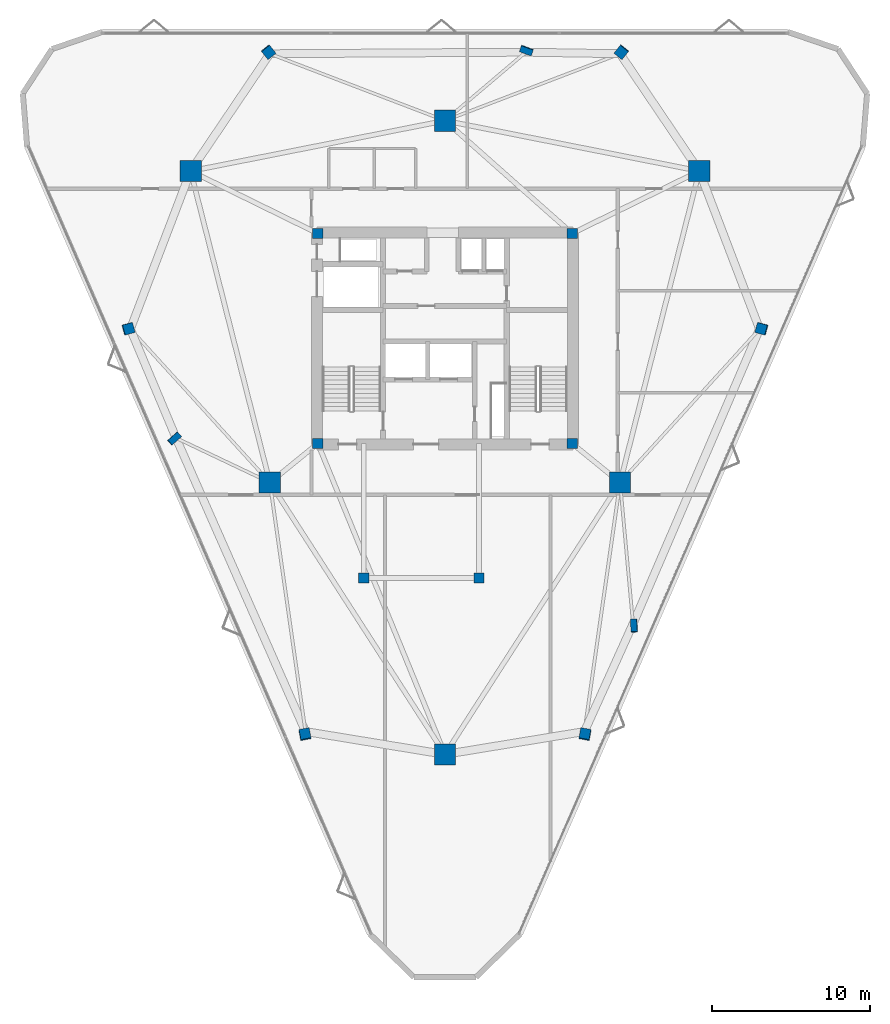
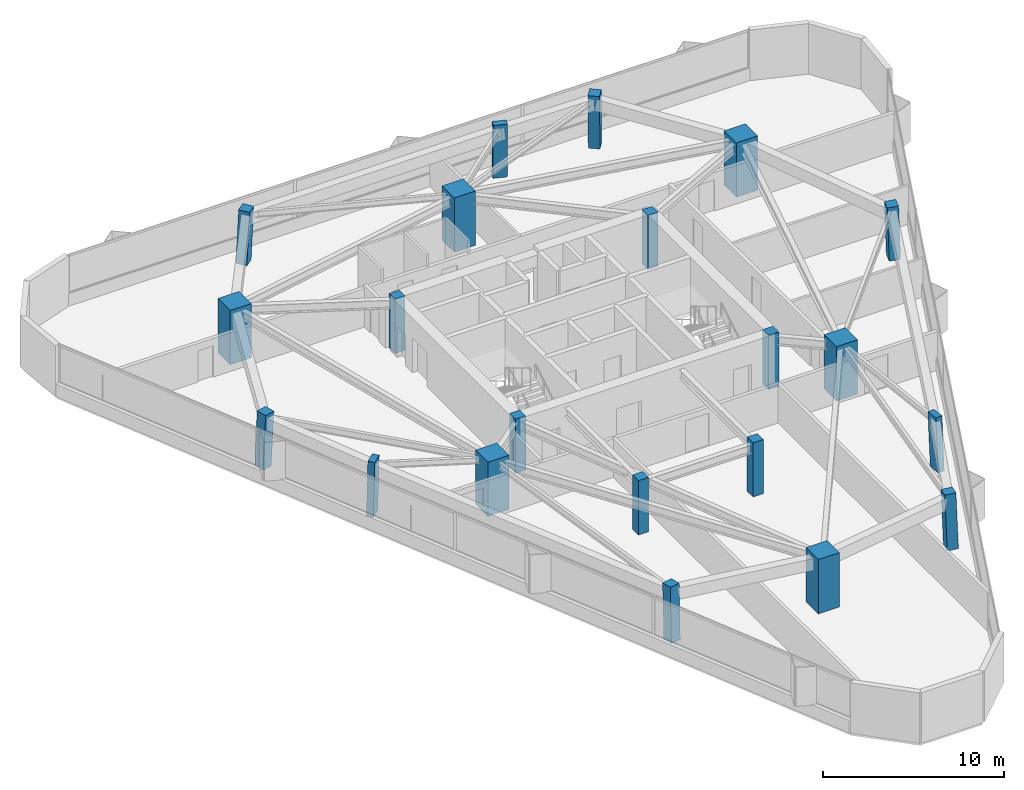
# One storey, part 1 of 12: 21 columns.
"""IFC4 building model written with IfcOpenShell, lengths in metres."""

from ifc_helpers import new_model, si_unit, direction, frame, origin, origin_2d, place, context, subcontext, project, spatial, rectangle, extrude, material, material_profile, profile_set, type_object, element, save


model = new_model("IFC4")

# Units and contexts
model_context = context("Model", 3, precision=1e-05, world=origin(), true_north=direction((0.0, 1.0)))
body_context = subcontext(model_context, "Body", "Model", "MODEL_VIEW")
ifc_project = project(units=[si_unit("LENGTHUNIT", "METRE"), si_unit("AREAUNIT", "SQUARE_METRE"), si_unit("VOLUMEUNIT", "CUBIC_METRE"), si_unit("PLANEANGLEUNIT", "RADIAN"), si_unit("MASSUNIT", "GRAM", prefix="KILO")], contexts=[model_context])

# Site, building, storey
site_placement = place(None, origin())
site = spatial("IfcSite", under=ifc_project, at=site_placement, CompositionType="ELEMENT")
building_placement = place(site_placement, origin())
building = spatial("IfcBuilding", under=site, at=building_placement, Name="Talyreon Biosciences Tower", CompositionType="ELEMENT")
storey_placement = place(building_placement, frame((0.0, 0.0, 186.699951171875)))
storey = spatial("IfcBuildingStorey", under=building, at=storey_placement, Name="L49", CompositionType="ELEMENT", Elevation=186.699951171875)

# Columns
ifc_material_1 = material(Name="Precast concrete C45/55", Category="concrete")
ifc_material_profile_1 = material_profile(ifc_material_1, rectangle(XDim=0.800048828125, YDim=0.39990234375, at=origin_2d()), Name="RC 800x400")
ifc_profile_set_1 = profile_set([ifc_material_profile_1], Name="Precast concrete C45/55")
column_type_1 = type_object("IfcColumnType", Name="FacadePilaster_800x400", PredefinedType="PILASTER", material=ifc_profile_set_1)
column_1_placement = place(storey_placement, frame((77.978271484375, 49.797119140625, 0.0029296875), z_axis=(-0.019612004119, 0.038286915892, 0.999074312234), x_axis=(0.062512217196, -0.997264428181, 0.039444682605)))
element("IfcColumn", 1, at=column_1_placement, inside=storey, type_object=column_type_1, Name="L49 Facade Pilaster PL-SE", PredefinedType="PILASTER", context=body_context, shape_type="SweptSolid", body=[
    extrude(rectangle(XDim=0.800048828125, YDim=0.39990234375, at=origin_2d()), origin(), (0.0, 0.0, 1.0), 3.6474609375),
])
column_2_placement = place(storey_placement, frame((71.161865234375, 86.24658203125, 0.0029296875), z_axis=(-0.012386580681, -0.033477245085, 0.999362720278), x_axis=(-0.937861842681, 0.347008881792, 0.0)))
element("IfcColumn", 2, at=column_2_placement, inside=storey, type_object=column_type_1, Name="L49 Facade Pilaster PL-N", PredefinedType="PILASTER", context=body_context, shape_type="SweptSolid", body=[
    extrude(rectangle(XDim=0.800048828125, YDim=0.39990234375, at=origin_2d()), origin(), (0.0, 0.0, 1.0), 3.646484375),
])
column_3_placement = place(storey_placement, frame((48.85986328125, 61.6591796875, 0.0029296875), z_axis=(0.032006476949, 0.010512587617, 0.999432374368), x_axis=(0.74614527829, 0.665066158827, -0.030890582203)))
element("IfcColumn", 3, at=column_3_placement, inside=storey, type_object=column_type_1, Name="L49 Facade Pilaster PL-SW", PredefinedType="PILASTER", context=body_context, shape_type="SweptSolid", body=[
    extrude(rectangle(XDim=0.800048828125, YDim=0.39990234375, at=origin_2d()), origin(), (0.0, 0.0, 1.0), 3.64599609375),
])
ifc_material_2 = material(Name="Concrete C50/60", Category="concrete")
ifc_material_profile_2 = material_profile(ifc_material_2, rectangle(XDim=1.35009765625, YDim=1.35009765625, at=origin_2d()), Name="RC 1350x1350")
ifc_profile_set_2 = profile_set([ifc_material_profile_2], Name="Concrete C50/60")
column_type_2 = type_object("IfcColumnType", Name="MegaColumn_1350", PredefinedType="COLUMN", material=ifc_profile_set_2)
for number, where, z_axis, x_axis, name in (
    (4, (66.0, 41.6669921875, 0.0), (0.0, 0.0, 1.0), (1.0, 0.0, 0.0), "L49 Composite Mega-Column MC1"),
    (5, (82.102294921875, 78.5986328125, 0.0), (0.0, 0.0, 1.0), (1.0, 0.0, 0.0), "L49 Composite Mega-Column MC2"),
    (6, (49.897705078125, 78.5986328125, 0.0), (0.0, 0.0, 1.0), (1.0, 0.0, 0.0), "L49 Composite Mega-Column MC3"),
    (7, (77.086181640625, 58.88037109375, 0.0), (0.0, 0.0, 1.0), (1.0, 0.0, 0.0), "L49 Composite Mega-Column MC4"),
    (8, (66.0, 81.788818359375, 0.0), (0.0, 0.0, 1.0), (1.0, 0.0, 0.0), "L49 Composite Mega-Column MC5"),
    (9, (54.913818359375, 58.88037109375, 0.0), (0.0, 0.0, 1.0), (1.0, 0.0, 0.0), "L49 Composite Mega-Column MC6"),
):
    element("IfcColumn", number, at=place(storey_placement, frame(where, z_axis=z_axis, x_axis=x_axis)), inside=storey, type_object=column_type_2, Name=name, PredefinedType="COLUMN", context=body_context, shape_type="SweptSolid", body=[
        extrude(rectangle(XDim=1.35009765625, YDim=1.35009765625, at=origin_2d()), origin(), (0.0, 0.0, 1.0), 3.650146484375),
    ])
ifc_material_profile_3 = material_profile(ifc_material_2, rectangle(XDim=0.64990234375, YDim=0.64990234375, at=origin_2d()), Name="RC 650x650")
ifc_profile_set_3 = profile_set([ifc_material_profile_3], Name="Concrete C50/60")
column_type_3 = type_object("IfcColumnType", Name="PerimeterColumn_650", PredefinedType="COLUMN", material=ifc_profile_set_3)
for number, where, z_axis, x_axis, name in (
    (10, (57.949951171875, 61.35009765625, 0.0), (0.0, 0.0, 1.0), (1.0, 0.0, 0.0), "L49 Core Column CC1"),
    (11, (74.050048828125, 61.35009765625, 0.0), (0.0, 0.0, 1.0), (1.0, 0.0, 0.0), "L49 Core Column CC2"),
    (12, (74.050048828125, 74.64990234375, 0.0), (0.0, 0.0, 1.0), (1.0, 0.0, 0.0), "L49 Core Column CC3"),
    (13, (57.949951171875, 74.64990234375, 0.0), (0.0, 0.0, 1.0), (1.0, 0.0, 0.0), "L49 Core Column CC4"),
    (14, (60.85009765625, 52.840087890625, 0.0), (0.0, 0.0, 1.0), (1.0, 0.0, 0.0), "L49 Core Column CSW"),
    (15, (68.14990234375, 52.840087890625, 0.0), (0.0, 0.0, 1.0), (1.0, 0.0, 0.0), "L49 Core Column CSE"),
):
    element("IfcColumn", number, at=place(storey_placement, frame(where, z_axis=z_axis, x_axis=x_axis)), inside=storey, type_object=column_type_3, Name=name, PredefinedType="COLUMN", context=body_context, shape_type="SweptSolid", body=[
        extrude(rectangle(XDim=0.64990234375, YDim=0.64990234375, at=origin_2d()), origin(), (0.0, 0.0, 1.0), 3.650146484375),
    ])
column_4_placement = place(storey_placement, frame((74.87548828125, 42.91748046875, 0.0029296875), z_axis=(-0.012375141264, 0.054450621561, 0.998439775695), x_axis=(-0.18620205445, -0.981176449079, 0.051201276261)))
element("IfcColumn", 16, at=column_4_placement, inside=storey, type_object=column_type_3, Name="L49 Tapering Perimeter Column PC-SE1", PredefinedType="COLUMN", context=body_context, shape_type="SweptSolid", body=[
    extrude(rectangle(XDim=0.64990234375, YDim=0.64990234375, at=origin_2d()), origin(), (0.0, 0.0, 1.0), 3.649658203125),
])
column_5_placement = place(storey_placement, frame((86.0595703125, 68.618408203125, 0.0029296875), z_axis=(-0.039229508262, -0.005623342481, 0.999214403269), x_axis=(0.963569711192, -0.264977167314, 0.036338856271)))
element("IfcColumn", 17, at=column_5_placement, inside=storey, type_object=column_type_3, Name="L49 Tapering Perimeter Column PC-SE2", PredefinedType="COLUMN", context=body_context, shape_type="SweptSolid", body=[
    extrude(rectangle(XDim=0.64990234375, YDim=0.64990234375, at=origin_2d()), origin(), (0.0, 0.0, 1.0), 3.64697265625),
])
for number, where, z_axis, x_axis, name in (
    (18, (77.18408203125, 86.146484375, 0.0029296875), (-0.02690802353, -0.033467690958, 0.999077510472), (-0.779345821086, 0.626594040153, 0.0), "L49 Tapering Perimeter Column PC-N1"),
    (19, (54.81591796875, 86.146484375, 0.0029296875), (0.02690802353, -0.033467690958, 0.999077510472), (-0.779345821086, -0.626594040153, 0.0), "L49 Tapering Perimeter Column PC-N2"),
):
    element("IfcColumn", number, at=place(storey_placement, frame(where, z_axis=z_axis, x_axis=x_axis)), inside=storey, type_object=column_type_3, Name=name, PredefinedType="COLUMN", context=body_context, shape_type="SweptSolid", body=[
        extrude(rectangle(XDim=0.64990234375, YDim=0.64990234375, at=origin_2d()), origin(), (0.0, 0.0, 1.0), 3.6474609375),
    ])
column_6_placement = place(storey_placement, frame((45.9404296875, 68.618408203125, 0.0029296875), z_axis=(0.039229508262, -0.005623342481, 0.999214403269), x_axis=(0.963569711192, 0.264977167314, -0.036338856271)))
element("IfcColumn", 20, at=column_6_placement, inside=storey, type_object=column_type_3, Name="L49 Tapering Perimeter Column PC-SW1", PredefinedType="COLUMN", context=body_context, shape_type="SweptSolid", body=[
    extrude(rectangle(XDim=0.64990234375, YDim=0.64990234375, at=origin_2d()), origin(), (0.0, 0.0, 1.0), 3.64697265625),
])
column_7_placement = place(storey_placement, frame((57.12451171875, 42.91748046875, 0.0029296875), z_axis=(0.012375141264, 0.054450621561, 0.998439775695), x_axis=(-0.18620205445, 0.981176449079, -0.051201276261)))
element("IfcColumn", 21, at=column_7_placement, inside=storey, type_object=column_type_3, Name="L49 Tapering Perimeter Column PC-SW2", PredefinedType="COLUMN", context=body_context, shape_type="SweptSolid", body=[
    extrude(rectangle(XDim=0.64990234375, YDim=0.64990234375, at=origin_2d()), origin(), (0.0, 0.0, 1.0), 3.649658203125),
])

save(model, "model.ifc")
